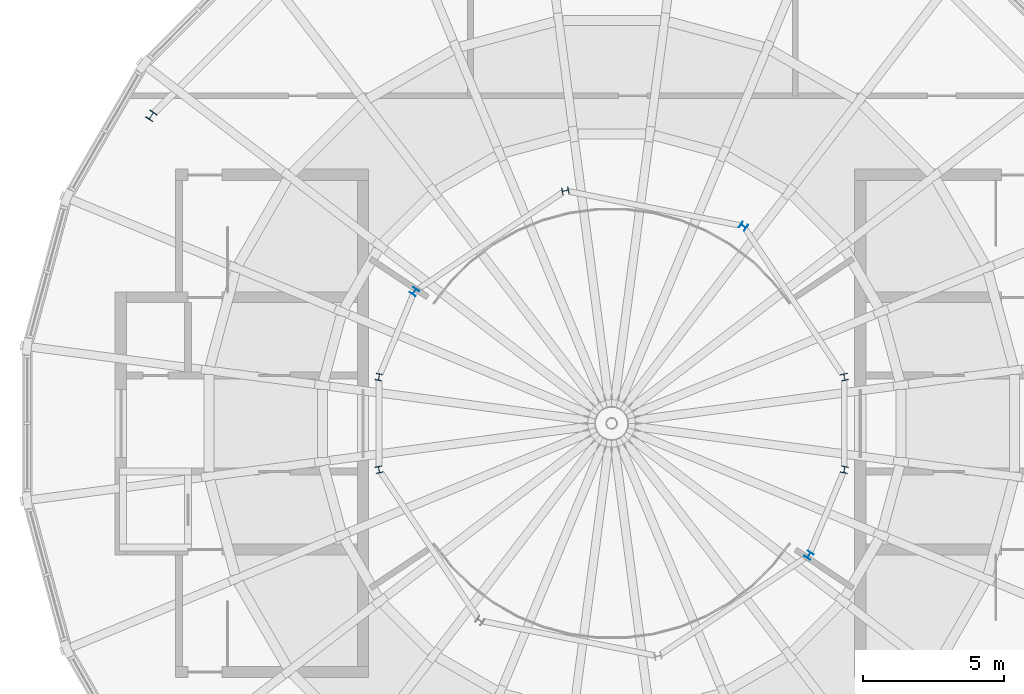
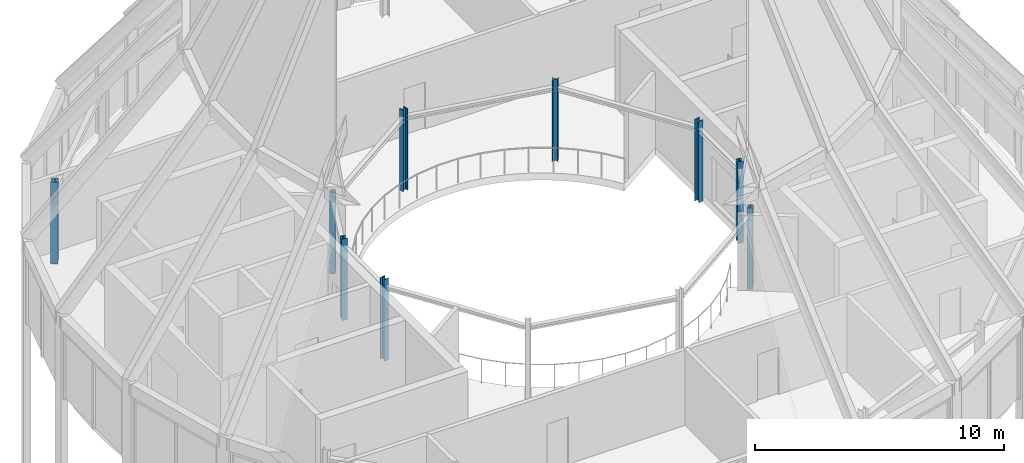
# One storey, part 2 of 16: 9 columns.
"""IFC4 building model written with IfcOpenShell, lengths in metres."""

from ifc_helpers import new_model, si_unit, direction, frame, origin, origin_2d, place, context, subcontext, project, spatial, i_section, extrude, material, material_profile, profile_set, type_object, element, save


model = new_model("IFC4")

# Units and contexts
model_context = context("Model", 3, precision=1e-05, world=origin(), true_north=direction((0.0, 1.0)))
body_context = subcontext(model_context, "Body", "Model", "MODEL_VIEW")
ifc_project = project(units=[si_unit("LENGTHUNIT", "METRE"), si_unit("AREAUNIT", "SQUARE_METRE"), si_unit("VOLUMEUNIT", "CUBIC_METRE"), si_unit("PLANEANGLEUNIT", "RADIAN"), si_unit("MASSUNIT", "GRAM", prefix="KILO")], contexts=[model_context])

# Site, building, storey
site_placement = place(None, origin())
site = spatial("IfcSite", under=ifc_project, at=site_placement, CompositionType="ELEMENT")
building_placement = place(site_placement, origin())
building = spatial("IfcBuilding", under=site, at=building_placement, Name="Maasbend Ring Residences", CompositionType="ELEMENT")
storey_placement = place(building_placement, frame((0.0, 0.0, 269.5)))
storey = spatial("IfcBuildingStorey", under=building, at=storey_placement, Name="L77", CompositionType="ELEMENT", Elevation=269.5)

# Columns
ifc_material_1 = material(Name="Steel S355J2", Category="steel")
ifc_material_profile_1 = material_profile(ifc_material_1, i_section(OverallWidth=0.239990234375, OverallDepth=0.22998046875, WebThickness=0.007568359375, FlangeThickness=0.011962890625, FilletRadius=0.02099609375, at=origin_2d()), Name="HEA 240")
ifc_profile_set_1 = profile_set([ifc_material_profile_1], Name="Steel S355J2")
column_type_1 = type_object("IfcColumnType", Name="Steel column HEA 240", PredefinedType="COLUMN", material=ifc_profile_set_1)
for number, where, z_axis, x_axis, name in (
    (1, (8.238525390625, 1.638916015625, 0.0), (0.0, 0.0, 1.0), (0.980785280403, 0.195090322016, 0.0), "Well ring column R1"),
    (2, (4.666748046875, 6.984375, 0.0), (0.0, 0.0, 1.0), (0.55557023302, 0.831469612303, 0.0), "Well ring column R3"),
    (3, (-1.638916015625, 8.238525390625, 0.0), (0.0, 0.0, 1.0), (-0.195090322016, 0.980785280403, 0.0), "Well ring column R5"),
    (4, (-6.984375, 4.666748046875, 0.0), (0.0, 0.0, 1.0), (-0.831469612303, 0.55557023302, 0.0), "Well ring column R7"),
    (5, (-8.238525390625, 1.638916015625, 0.0), (0.0, 0.0, 1.0), (-0.980785280403, 0.195090322016, 0.0), "Well ring column R8"),
    (6, (-8.238525390625, -1.638916015625, 0.0), (0.0, 0.0, 1.0), (-0.980785280403, -0.195090322016, 0.0), "Well ring column R9"),
    (7, (6.984375, -4.666748046875, 0.0), (0.0, 0.0, 1.0), (0.831469612303, -0.55557023302, 0.0), "Well ring column R15"),
    (8, (8.238525390625, -1.638916015625, 0.0), (0.0, 0.0, 1.0), (0.980785280403, -0.195090322016, 0.0), "Well ring column R16"),
):
    element("IfcColumn", number, at=place(storey_placement, frame(where, z_axis=z_axis, x_axis=x_axis)), inside=storey, type_object=column_type_1, Name=name, PredefinedType="COLUMN", context=body_context, shape_type="SweptSolid", body=[
        extrude(i_section(OverallWidth=0.239990234375, OverallDepth=0.22998046875, WebThickness=0.007568359375, FlangeThickness=0.011962890625, FilletRadius=0.02099609375, at=origin_2d()), origin(), (0.0, 0.0, 1.0), 4.0),
    ])
ifc_material_2 = material(Name="Steel S355J2", Category="steel")
ifc_material_profile_2 = material_profile(ifc_material_2, i_section(OverallWidth=0.300048828125, OverallDepth=0.300048828125, WebThickness=0.010986328125, FlangeThickness=0.01904296875, FilletRadius=0.027099609375, at=origin_2d()), Name="HEB 300")
ifc_profile_set_2 = profile_set([ifc_material_profile_2], Name="Steel S355J2")
column_type_2 = type_object("IfcColumnType", Name="Steel column HEB 300", PredefinedType="COLUMN", material=ifc_profile_set_2)
column_placement = place(storey_placement, frame((-16.296875, 10.88916015625, 0.0), z_axis=(0.0, 0.0, 1.0), x_axis=(-0.831469612303, 0.55557023302, 0.0)))
element("IfcColumn", 9, at=column_placement, inside=storey, type_object=column_type_2, Name="Corridor ring column R7", PredefinedType="COLUMN", context=body_context, shape_type="SweptSolid", body=[
    extrude(i_section(OverallWidth=0.300048828125, OverallDepth=0.300048828125, WebThickness=0.010986328125, FlangeThickness=0.01904296875, FilletRadius=0.027099609375, at=origin_2d()), origin(), (0.0, 0.0, 1.0), 4.0),
])

save(model, "model.ifc")
